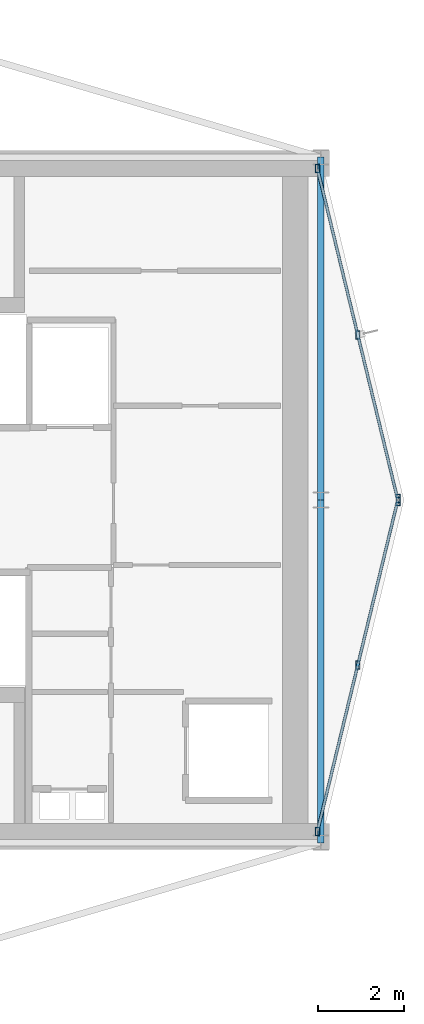
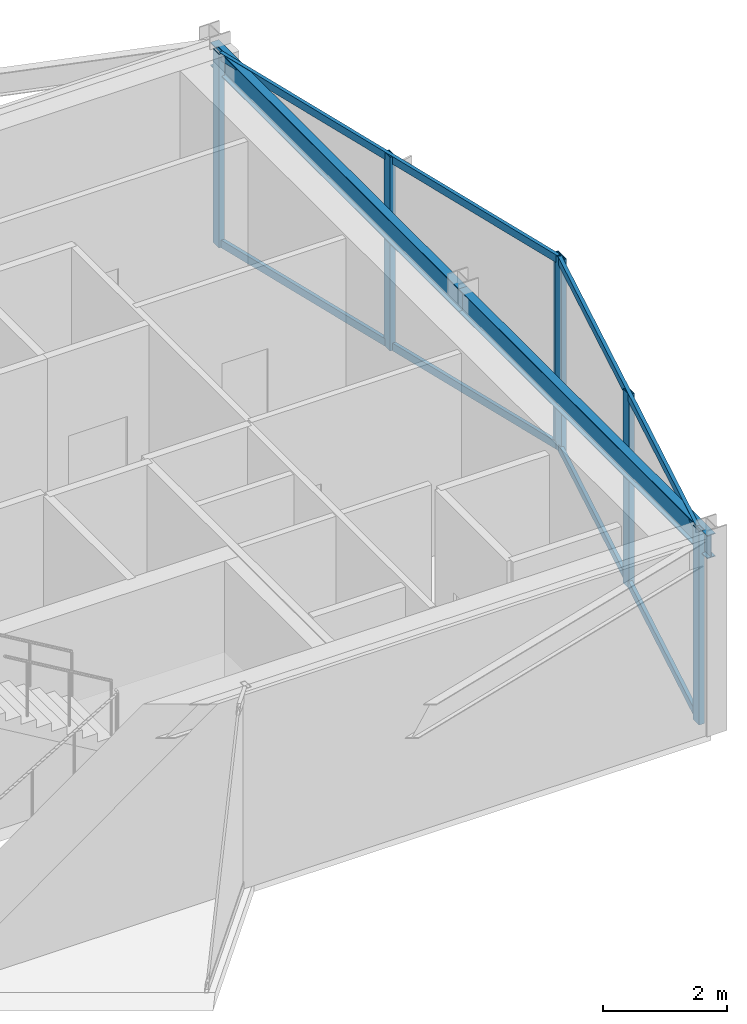
# One storey, part 8 of 15: 10 members, 2 beams, 2 elements without a shape of their own.
"""IFC4 building model written with IfcOpenShell, lengths in metres."""

from ifc_helpers import new_model, si_unit, direction, frame, origin, origin_2d, place, context, subcontext, project, spatial, hollow_rectangle, i_section, extrude, material, layer, layer_set, material_profile, profile_set, type_object, element, aggregate, save


model = new_model("IFC4")

# Units and contexts
model_context = context("Model", 3, precision=1e-05, world=origin(), true_north=direction((0.0, 1.0)))
body_context = subcontext(model_context, "Body", "Model", "MODEL_VIEW")
ifc_project = project(units=[si_unit("LENGTHUNIT", "METRE"), si_unit("AREAUNIT", "SQUARE_METRE"), si_unit("VOLUMEUNIT", "CUBIC_METRE"), si_unit("PLANEANGLEUNIT", "RADIAN"), si_unit("MASSUNIT", "GRAM", prefix="KILO")], contexts=[model_context])

# Site, building, storey
site_placement = place(None, origin())
site = spatial("IfcSite", under=ifc_project, at=site_placement, CompositionType="ELEMENT")
building_placement = place(site_placement, origin())
building = spatial("IfcBuilding", under=site, at=building_placement, Name="Veymaron Broadcast Tower", CompositionType="ELEMENT")
storey_placement = place(building_placement, frame((0.0, 0.0, 266.85009765625)))
storey = spatial("IfcBuildingStorey", under=building, at=storey_placement, Name="L62", CompositionType="ELEMENT", Elevation=266.85009765625)

# Beams
ifc_material_1 = material(Name="Structural steel ASTM A992 Gr 50", Category="steel")
ifc_material_profile_1 = material_profile(ifc_material_1, i_section(OverallWidth=0.154052734375, OverallDepth=0.458984375, WebThickness=0.009033203125, FlangeThickness=0.015380859375, at=origin_2d()), Name="W460X68")
ifc_profile_set_1 = profile_set([ifc_material_profile_1], Name="Structural steel ASTM A992 Gr 50")
beam_type = type_object("IfcBeamType", Name="BM-SP2", PredefinedType="SPANDREL", material=ifc_profile_set_1)
for number, where, z_axis, x_axis, name in (
    (1, (54.60009765625, 16.0, 3.580322265625), (0.0, 1.0, 0.0), (-1.0, 0.0, 0.0), "L62 primary structural floor girder"),
    (2, (54.60009765625, 24.0, 3.580322265625), (0.0, 1.0, 0.0), (-1.0, 0.0, 0.0), "L62 primary structural floor girder"),
):
    element("IfcBeam", number, at=place(storey_placement, frame(where, z_axis=z_axis, x_axis=x_axis)), inside=storey, type_object=beam_type, Name=name, PredefinedType="SPANDREL", context=body_context, shape_type="SweptSolid", body=[
        extrude(i_section(OverallWidth=0.154052734375, OverallDepth=0.458984375, WebThickness=0.009033203125, FlangeThickness=0.015380859375, at=origin_2d()), origin(), (0.0, 0.0, 1.0), 8.0),
    ])

# Curtain wall, members
ifc_material_2 = material(Name="Anodised aluminium AA 6063-T6 and laminated low-E dark glass", Category="aluminium")
ifc_layer = layer(ifc_material_2, 0.179931640625)
ifc_layer_set = layer_set([ifc_layer], Name="Anodised aluminium AA 6063-T6 and laminated low-E dark glass")
curtain_wall_type = type_object("IfcCurtainWallType", Name="CW-SYS-06", PredefinedType="NOTDEFINED", material=ifc_layer_set)
curtain_wall_1_placement = place(storey_placement, origin())
curtain_wall_1 = element("IfcCurtainWall", 3, at=curtain_wall_1_placement, inside=storey, type_object=curtain_wall_type, Name="L62 dark-glass curtain wall CW-L62-E2-1", PredefinedType="NOTDEFINED")
ifc_material_3 = material(Name="Anodised aluminium AA 6063-T6", Category="aluminium")
ifc_material_profile_2 = material_profile(ifc_material_3, hollow_rectangle(XDim=0.10009765625, YDim=0.199951171875, WallThickness=0.010009765625, at=origin_2d()), Name="RHS200X100X10")
ifc_profile_set_2 = profile_set([ifc_material_profile_2], Name="Anodised aluminium AA 6063-T6")
member_type_1 = type_object("IfcMemberType", Name="CW-MUL-01", PredefinedType="MULLION", material=ifc_profile_set_2)
member_1_placement = place(storey_placement, frame((54.520751953125, 16.26708984375, 0.0), z_axis=(0.0, 0.0, 1.0), x_axis=(1.0, 0.0, 0.0)))
member_1 = element("IfcMember", 4, at=member_1_placement, type_object=member_type_1, Name="CW-L62-E2-1 mullion 0", PredefinedType="MULLION", context=body_context, shape_type="SweptSolid", body=[
    extrude(hollow_rectangle(XDim=0.10009765625, YDim=0.199951171875, WallThickness=0.010009765625, at=origin_2d()), origin(), (0.0, 0.0, 1.0), 3.809814453125),
])
member_2_placement = place(storey_placement, frame((55.46240234375, 20.14990234375, 0.0), z_axis=(0.0, 0.0, 1.0), x_axis=(1.0, 0.0, 0.0)))
member_2 = element("IfcMember", 5, at=member_2_placement, type_object=member_type_1, Name="CW-L62-E2-1 mullion 1", PredefinedType="MULLION", context=body_context, shape_type="SweptSolid", body=[
    extrude(hollow_rectangle(XDim=0.10009765625, YDim=0.199951171875, WallThickness=0.010009765625, at=origin_2d()), origin(), (0.0, 0.0, 1.0), 3.809814453125),
])
member_3_placement = place(storey_placement, frame((56.404296875, 24.032958984375, 0.0), z_axis=(0.0, 0.0, 1.0), x_axis=(1.0, 0.0, 0.0)))
member_3 = element("IfcMember", 6, at=member_3_placement, type_object=member_type_1, Name="CW-L62-E2-1 mullion 2", PredefinedType="MULLION", context=body_context, shape_type="SweptSolid", body=[
    extrude(hollow_rectangle(XDim=0.10009765625, YDim=0.199951171875, WallThickness=0.010009765625, at=origin_2d()), origin(), (0.0, 0.0, 1.0), 3.809814453125),
])

curtain_wall_2_placement = place(storey_placement, origin())
curtain_wall_2 = element("IfcCurtainWall", 7, at=curtain_wall_2_placement, inside=storey, type_object=curtain_wall_type, Name="L62 dark-glass curtain wall CW-L62-E3-1", PredefinedType="NOTDEFINED")
member_4_placement = place(storey_placement, frame((56.404296875, 23.967041015625, 0.0), z_axis=(0.0, 0.0, 1.0), x_axis=(1.0, 0.0, 0.0)))
member_4 = element("IfcMember", 8, at=member_4_placement, type_object=member_type_1, Name="CW-L62-E3-1 mullion 0", PredefinedType="MULLION", context=body_context, shape_type="SweptSolid", body=[
    extrude(hollow_rectangle(XDim=0.10009765625, YDim=0.199951171875, WallThickness=0.010009765625, at=origin_2d()), origin(), (0.0, 0.0, 1.0), 3.809814453125),
])
member_5_placement = place(storey_placement, frame((55.46240234375, 27.85009765625, 0.0), z_axis=(0.0, 0.0, 1.0), x_axis=(1.0, 0.0, 0.0)))
member_5 = element("IfcMember", 9, at=member_5_placement, type_object=member_type_1, Name="CW-L62-E3-1 mullion 1", PredefinedType="MULLION", context=body_context, shape_type="SweptSolid", body=[
    extrude(hollow_rectangle(XDim=0.10009765625, YDim=0.199951171875, WallThickness=0.010009765625, at=origin_2d()), origin(), (0.0, 0.0, 1.0), 3.809814453125),
])
member_6_placement = place(storey_placement, frame((54.520751953125, 31.73291015625, 0.0), z_axis=(0.0, 0.0, 1.0), x_axis=(1.0, 0.0, 0.0)))
member_6 = element("IfcMember", 10, at=member_6_placement, type_object=member_type_1, Name="CW-L62-E3-1 mullion 2", PredefinedType="MULLION", context=body_context, shape_type="SweptSolid", body=[
    extrude(hollow_rectangle(XDim=0.10009765625, YDim=0.199951171875, WallThickness=0.010009765625, at=origin_2d()), origin(), (0.0, 0.0, 1.0), 3.809814453125),
])

# Member
ifc_material_profile_3 = material_profile(ifc_material_3, hollow_rectangle(XDim=0.06494140625, YDim=0.14990234375, WallThickness=0.00390625, at=origin_2d()), Name="AL150X65X4")
ifc_profile_set_3 = profile_set([ifc_material_profile_3], Name="Anodised aluminium AA 6063-T6")
member_type_2 = type_object("IfcMemberType", Name="CW-TRN-01", PredefinedType="USERDEFINED", material=ifc_profile_set_3)
member_7_placement = place(storey_placement, frame((54.532470703125, 16.315673828125, 0.06982421875), z_axis=(0.235723108304, 0.97182025921, 0.0), x_axis=(-0.97182025921, 0.235723108304, 0.0)))
member_7 = element("IfcMember", 11, at=member_7_placement, type_object=member_type_2, Name="CW-L62-E2-1 transom B", ObjectType="TRANSOM", PredefinedType="USERDEFINED", context=body_context, shape_type="SweptSolid", body=[
    extrude(hollow_rectangle(XDim=0.06494140625, YDim=0.14990234375, WallThickness=0.00390625, at=origin_2d()), origin(), (0.0, 0.0, 1.0), 7.89111328125),
])

member_8_placement = place(storey_placement, frame((54.532470703125, 16.315673828125, 3.739990234375), z_axis=(0.235723108304, 0.97182025921, 0.0), x_axis=(-0.97182025921, 0.235723108304, 0.0)))
member_8 = element("IfcMember", 12, at=member_8_placement, type_object=member_type_2, Name="CW-L62-E2-1 transom T", ObjectType="TRANSOM", PredefinedType="USERDEFINED", context=body_context, shape_type="SweptSolid", body=[
    extrude(hollow_rectangle(XDim=0.06494140625, YDim=0.14990234375, WallThickness=0.00390625, at=origin_2d()), origin(), (0.0, 0.0, 1.0), 7.89111328125),
])

aggregate(curtain_wall_1, [member_1, member_2, member_3, member_7, member_8])

member_9_placement = place(storey_placement, frame((56.392578125, 24.015625, 0.06982421875), z_axis=(-0.235723108304, 0.97182025921, 0.0), x_axis=(-0.97182025921, -0.235723108304, 0.0)))
member_9 = element("IfcMember", 13, at=member_9_placement, type_object=member_type_2, Name="CW-L62-E3-1 transom B", ObjectType="TRANSOM", PredefinedType="USERDEFINED", context=body_context, shape_type="SweptSolid", body=[
    extrude(hollow_rectangle(XDim=0.06494140625, YDim=0.14990234375, WallThickness=0.00390625, at=origin_2d()), origin(), (0.0, 0.0, 1.0), 7.89111328125),
])

member_10_placement = place(storey_placement, frame((56.392578125, 24.015625, 3.739990234375), z_axis=(-0.235723108304, 0.97182025921, 0.0), x_axis=(-0.97182025921, -0.235723108304, 0.0)))
member_10 = element("IfcMember", 14, at=member_10_placement, type_object=member_type_2, Name="CW-L62-E3-1 transom T", ObjectType="TRANSOM", PredefinedType="USERDEFINED", context=body_context, shape_type="SweptSolid", body=[
    extrude(hollow_rectangle(XDim=0.06494140625, YDim=0.14990234375, WallThickness=0.00390625, at=origin_2d()), origin(), (0.0, 0.0, 1.0), 7.89111328125),
])

aggregate(curtain_wall_2, [member_4, member_5, member_6, member_9, member_10])

save(model, "model.ifc")
